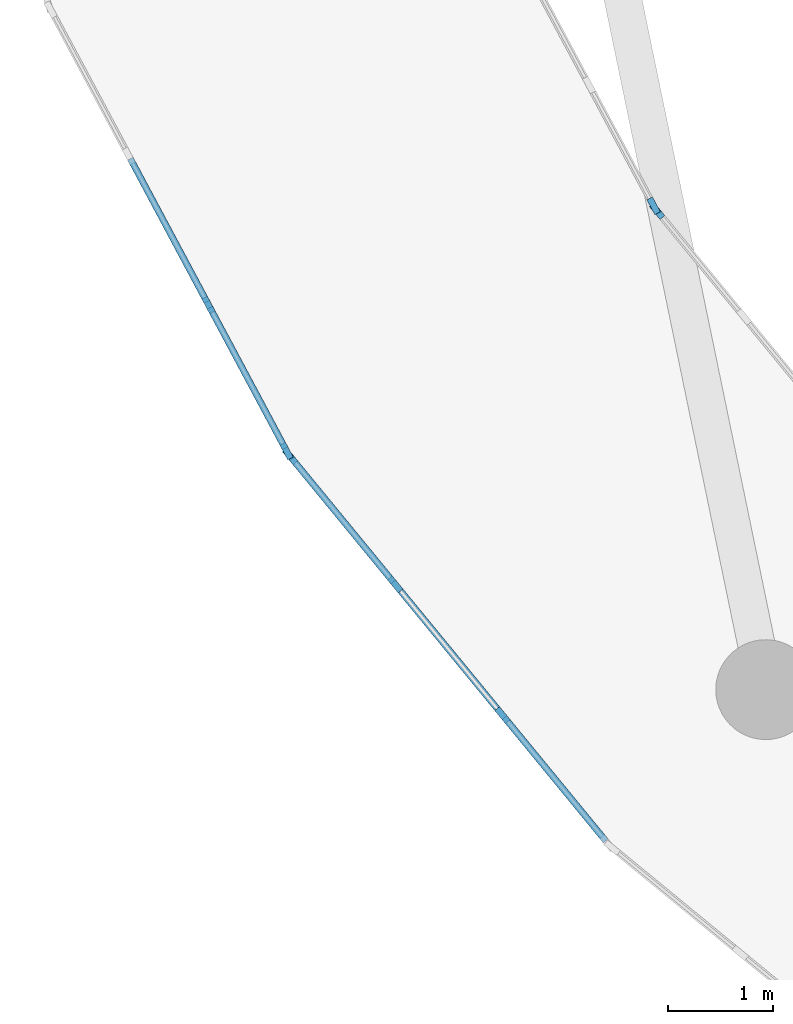
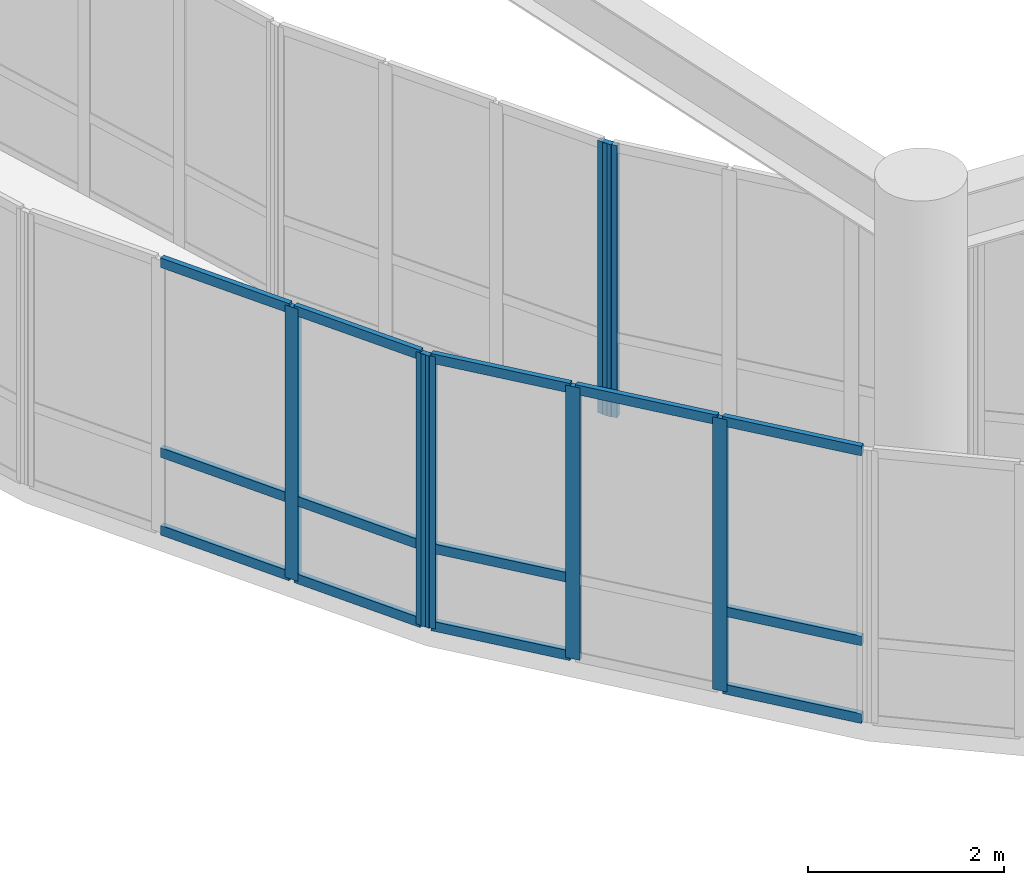
# One storey, part 20 of 72: 20 members, 4 elements without a shape of their own.
"""IFC4 building model written with IfcOpenShell, lengths in metres."""

from ifc_helpers import new_model, si_unit, direction, frame, origin, origin_2d, place, context, subcontext, project, spatial, rectangle, extrude, material, material_profile, profile_set, type_object, element, aggregate, save


model = new_model("IFC4")

# Units and contexts
model_context = context("Model", 3, precision=1e-05, world=origin(), true_north=direction((0.0, 1.0)))
body_context = subcontext(model_context, "Body", "Model", "MODEL_VIEW")
ifc_project = project(units=[si_unit("LENGTHUNIT", "METRE"), si_unit("AREAUNIT", "SQUARE_METRE"), si_unit("VOLUMEUNIT", "CUBIC_METRE"), si_unit("PLANEANGLEUNIT", "RADIAN"), si_unit("MASSUNIT", "GRAM", prefix="KILO")], contexts=[model_context])

# Site, building, storey
site_placement = place(None, origin())
site = spatial("IfcSite", under=ifc_project, at=site_placement, CompositionType="ELEMENT")
building_placement = place(site_placement, origin())
building = spatial("IfcBuilding", under=site, at=building_placement, Name="Veldera Park Congress Hotel", CompositionType="ELEMENT")
storey_placement = place(building_placement, frame((0.0, 0.0, 5.39990234375)))
storey = spatial("IfcBuildingStorey", under=building, at=storey_placement, Name="L01", CompositionType="ELEMENT", Elevation=5.39990234375)

# Curtain wall, members
ifc_material_1 = material(Name="Low-E Triple Insulating Glass Unit (SHGC 0.22)", Category="glass")
curtain_wall_type = type_object("IfcCurtainWallType", Name="CW-BRG", PredefinedType="NOTDEFINED", material=ifc_material_1)
curtain_wall_1_placement = place(storey_placement, origin())
curtain_wall_1 = element("IfcCurtainWall", 1, at=curtain_wall_1_placement, inside=storey, type_object=curtain_wall_type, Name="L01 Curtain Wall CW3-BRGE-L01-A02", PredefinedType="NOTDEFINED")
ifc_material_2 = material(Name="Anodised Aluminium Alloy 6063-T6", Category="aluminium")
ifc_material_profile_1 = material_profile(ifc_material_2, rectangle(XDim=0.06005859375, YDim=0.159912109375, at=origin_2d()), Name="ALU 60x160")
ifc_profile_set_1 = profile_set([ifc_material_profile_1], Name="Anodised Aluminium Alloy 6063-T6")
member_type_1 = type_object("IfcMemberType", Name="CWM-160", PredefinedType="MULLION", material=ifc_profile_set_1)
member_1_placement = place(storey_placement, frame((39.588134765625, 5.150634765625, 0.0), z_axis=(0.0, 0.0, 1.0), x_axis=(0.881927804203, 0.471384501415, 0.0)))
member_1 = element("IfcMember", 2, at=member_1_placement, type_object=member_type_1, Name="CW-BRG mullion 3", PredefinedType="MULLION", context=body_context, shape_type="SweptSolid", body=[
    extrude(rectangle(XDim=0.06005859375, YDim=0.159912109375, at=origin_2d()), origin(), (0.0, 0.0, 1.0), 3.400146484375),
])
member_2_placement = place(storey_placement, frame((40.33154296875, 3.759521484375, 0.0), z_axis=(0.0, 0.0, 1.0), x_axis=(0.881927804203, 0.471384501415, 0.0)))
member_2 = element("IfcMember", 3, at=member_2_placement, type_object=member_type_1, Name="CW-BRG mullion 4", PredefinedType="MULLION", context=body_context, shape_type="SweptSolid", body=[
    extrude(rectangle(XDim=0.06005859375, YDim=0.159912109375, at=origin_2d()), origin(), (0.0, 0.0, 1.0), 3.400146484375),
])

curtain_wall_2_placement = place(storey_placement, origin())
curtain_wall_2 = element("IfcCurtainWall", 4, at=curtain_wall_2_placement, inside=storey, type_object=curtain_wall_type, Name="L01 Curtain Wall CW3-BRGE-L01-A03", PredefinedType="NOTDEFINED")
member_3_placement = place(storey_placement, frame((40.36474609375, 3.709716796875, 0.0), z_axis=(0.0, 0.0, 1.0), x_axis=(0.773002968666, 0.634402404183, 0.0)))
member_3 = element("IfcMember", 5, at=member_3_placement, type_object=member_type_1, Name="CW-BRG mullion 1", PredefinedType="MULLION", context=body_context, shape_type="SweptSolid", body=[
    extrude(rectangle(XDim=0.06005859375, YDim=0.159912109375, at=origin_2d()), origin(), (0.0, 0.0, 1.0), 3.400146484375),
])
member_4_placement = place(storey_placement, frame((41.365478515625, 2.490478515625, 0.0), z_axis=(0.0, 0.0, 1.0), x_axis=(0.773002968666, 0.634402404183, 0.0)))
member_4 = element("IfcMember", 6, at=member_4_placement, type_object=member_type_1, Name="CW-BRG mullion 2", PredefinedType="MULLION", context=body_context, shape_type="SweptSolid", body=[
    extrude(rectangle(XDim=0.06005859375, YDim=0.159912109375, at=origin_2d()), origin(), (0.0, 0.0, 1.0), 3.400146484375),
])
member_5_placement = place(storey_placement, frame((42.385498046875, 1.247802734375, 0.0), z_axis=(0.0, 0.0, 1.0), x_axis=(0.773002968666, 0.634402404183, 0.0)))
member_5 = element("IfcMember", 7, at=member_5_placement, type_object=member_type_1, Name="CW-BRG mullion 3", PredefinedType="MULLION", context=body_context, shape_type="SweptSolid", body=[
    extrude(rectangle(XDim=0.06005859375, YDim=0.159912109375, at=origin_2d()), origin(), (0.0, 0.0, 1.0), 3.400146484375),
])

# Curtain wall, member
curtain_wall_3_placement = place(storey_placement, origin())
curtain_wall_3 = element("IfcCurtainWall", 8, at=curtain_wall_3_placement, inside=storey, type_object=curtain_wall_type, Name="L01 Curtain Wall CW3-BRGE-L01-B13", PredefinedType="NOTDEFINED")
member_6_placement = place(storey_placement, frame((43.85693359375, 6.043212890625, 0.0), z_axis=(0.0, 0.0, 1.0), x_axis=(-0.773016144823, -0.634386349036, 0.0)))
member_6 = element("IfcMember", 9, at=member_6_placement, type_object=member_type_1, Name="CW-BRG mullion 4", PredefinedType="MULLION", context=body_context, shape_type="SweptSolid", body=[
    extrude(rectangle(XDim=0.06005859375, YDim=0.159912109375, at=origin_2d()), origin(), (0.0, 0.0, 1.0), 3.400146484375),
])
aggregate(curtain_wall_3, [member_6])

curtain_wall_4_placement = place(storey_placement, origin())
curtain_wall_4 = element("IfcCurtainWall", 10, at=curtain_wall_4_placement, inside=storey, type_object=curtain_wall_type, Name="L01 Curtain Wall CW3-BRGE-L01-B14", PredefinedType="NOTDEFINED")
member_7_placement = place(storey_placement, frame((43.823974609375, 6.0927734375, 0.0), z_axis=(0.0, 0.0, 1.0), x_axis=(-0.881928263239, -0.471383642588, 0.0)))
member_7 = element("IfcMember", 11, at=member_7_placement, type_object=member_type_1, Name="CW-BRG mullion 1", PredefinedType="MULLION", context=body_context, shape_type="SweptSolid", body=[
    extrude(rectangle(XDim=0.06005859375, YDim=0.159912109375, at=origin_2d()), origin(), (0.0, 0.0, 1.0), 3.400146484375),
])
aggregate(curtain_wall_4, [member_7])

# Member
ifc_material_profile_2 = material_profile(ifc_material_2, rectangle(XDim=0.06005859375, YDim=0.1201171875, at=origin_2d()), Name="ALU 60x120")
ifc_profile_set_2 = profile_set([ifc_material_profile_2], Name="Anodised Aluminium Alloy 6063-T6")
member_type_2 = type_object("IfcMemberType", Name="CWT-120", PredefinedType="USERDEFINED", material=ifc_profile_set_2)
member_8_placement = place(storey_placement, frame((38.844482421875, 6.5419921875, 0.030029296875), z_axis=(0.471406890935, -0.881915836789, 0.0), x_axis=(0.881915836789, 0.471406890935, 0.0)))
member_8 = element("IfcMember", 12, at=member_8_placement, type_object=member_type_2, Name="CW-BRG transom 2.1", ObjectType="TRANSOM", PredefinedType="USERDEFINED", context=body_context, shape_type="SweptSolid", body=[
    extrude(rectangle(XDim=0.06005859375, YDim=0.1201171875, at=origin_2d()), origin(), (0.0, 0.0, 1.0), 1.54736328125),
])

member_9_placement = place(storey_placement, frame((38.844482421875, 6.5419921875, 1.0), z_axis=(0.471406890935, -0.881915836789, 0.0), x_axis=(0.881915836789, 0.471406890935, 0.0)))
member_9 = element("IfcMember", 13, at=member_9_placement, type_object=member_type_2, Name="CW-BRG transom 2.2", ObjectType="TRANSOM", PredefinedType="USERDEFINED", context=body_context, shape_type="SweptSolid", body=[
    extrude(rectangle(XDim=0.06005859375, YDim=0.1201171875, at=origin_2d()), origin(), (0.0, 0.0, 1.0), 1.54736328125),
])

member_10_placement = place(storey_placement, frame((38.844482421875, 6.5419921875, 3.3701171875), z_axis=(0.471406890935, -0.881915836789, 0.0), x_axis=(0.881915836789, 0.471406890935, 0.0)))
member_10 = element("IfcMember", 14, at=member_10_placement, type_object=member_type_2, Name="CW-BRG transom 2.3", ObjectType="TRANSOM", PredefinedType="USERDEFINED", context=body_context, shape_type="SweptSolid", body=[
    extrude(rectangle(XDim=0.06005859375, YDim=0.1201171875, at=origin_2d()), origin(), (0.0, 0.0, 1.0), 1.54736328125),
])

member_11_placement = place(storey_placement, frame((39.602294921875, 5.124267578125, 0.030029296875), z_axis=(0.4713729563, -0.881933974892, 0.0), x_axis=(0.881933974892, 0.4713729563, 0.0)))
member_11 = element("IfcMember", 15, at=member_11_placement, type_object=member_type_2, Name="CW-BRG transom 3.1", ObjectType="TRANSOM", PredefinedType="USERDEFINED", context=body_context, shape_type="SweptSolid", body=[
    extrude(rectangle(XDim=0.06005859375, YDim=0.1201171875, at=origin_2d()), origin(), (0.0, 0.0, 1.0), 1.517578125),
])

member_12_placement = place(storey_placement, frame((39.602294921875, 5.124267578125, 1.0), z_axis=(0.4713729563, -0.881933974892, 0.0), x_axis=(0.881933974892, 0.4713729563, 0.0)))
member_12 = element("IfcMember", 16, at=member_12_placement, type_object=member_type_2, Name="CW-BRG transom 3.2", ObjectType="TRANSOM", PredefinedType="USERDEFINED", context=body_context, shape_type="SweptSolid", body=[
    extrude(rectangle(XDim=0.06005859375, YDim=0.1201171875, at=origin_2d()), origin(), (0.0, 0.0, 1.0), 1.517578125),
])

member_13_placement = place(storey_placement, frame((39.602294921875, 5.124267578125, 3.3701171875), z_axis=(0.4713729563, -0.881933974892, 0.0), x_axis=(0.881933974892, 0.4713729563, 0.0)))
member_13 = element("IfcMember", 17, at=member_13_placement, type_object=member_type_2, Name="CW-BRG transom 3.3", ObjectType="TRANSOM", PredefinedType="USERDEFINED", context=body_context, shape_type="SweptSolid", body=[
    extrude(rectangle(XDim=0.06005859375, YDim=0.1201171875, at=origin_2d()), origin(), (0.0, 0.0, 1.0), 1.517578125),
])

aggregate(curtain_wall_1, [member_1, member_2, member_8, member_9, member_10, member_11, member_12, member_13])

member_14_placement = place(storey_placement, frame((40.3837890625, 3.6865234375, 0.030029296875), z_axis=(0.63453354545, -0.772895322601, 0.0), x_axis=(0.772895322601, 0.63453354545, 0.0)))
member_14 = element("IfcMember", 18, at=member_14_placement, type_object=member_type_2, Name="CW-BRG transom 1.1", ObjectType="TRANSOM", PredefinedType="USERDEFINED", context=body_context, shape_type="SweptSolid", body=[
    extrude(rectangle(XDim=0.06005859375, YDim=0.1201171875, at=origin_2d()), origin(), (0.0, 0.0, 1.0), 1.517578125),
])

member_15_placement = place(storey_placement, frame((40.3837890625, 3.6865234375, 1.0), z_axis=(0.63453354545, -0.772895322601, 0.0), x_axis=(0.772895322601, 0.63453354545, 0.0)))
member_15 = element("IfcMember", 19, at=member_15_placement, type_object=member_type_2, Name="CW-BRG transom 1.2", ObjectType="TRANSOM", PredefinedType="USERDEFINED", context=body_context, shape_type="SweptSolid", body=[
    extrude(rectangle(XDim=0.06005859375, YDim=0.1201171875, at=origin_2d()), origin(), (0.0, 0.0, 1.0), 1.517578125),
])

member_16_placement = place(storey_placement, frame((40.3837890625, 3.6865234375, 3.3701171875), z_axis=(0.63453354545, -0.772895322601, 0.0), x_axis=(0.772895322601, 0.63453354545, 0.0)))
member_16 = element("IfcMember", 20, at=member_16_placement, type_object=member_type_2, Name="CW-BRG transom 1.3", ObjectType="TRANSOM", PredefinedType="USERDEFINED", context=body_context, shape_type="SweptSolid", body=[
    extrude(rectangle(XDim=0.06005859375, YDim=0.1201171875, at=origin_2d()), origin(), (0.0, 0.0, 1.0), 1.517578125),
])

member_17_placement = place(storey_placement, frame((41.384521484375, 2.46728515625, 3.3701171875), z_axis=(0.634456806668, -0.772958317422, 0.0), x_axis=(0.772958317422, 0.634456806668, 0.0)))
member_17 = element("IfcMember", 21, at=member_17_placement, type_object=member_type_2, Name="CW-BRG transom 2.3", ObjectType="TRANSOM", PredefinedType="USERDEFINED", context=body_context, shape_type="SweptSolid", body=[
    extrude(rectangle(XDim=0.06005859375, YDim=0.1201171875, at=origin_2d()), origin(), (0.0, 0.0, 1.0), 1.547607421875),
])

member_18_placement = place(storey_placement, frame((42.404541015625, 1.224609375, 0.030029296875), z_axis=(0.634358522298, -0.773038980381, 0.0), x_axis=(0.773038980381, 0.634358522298, 0.0)))
member_18 = element("IfcMember", 22, at=member_18_placement, type_object=member_type_2, Name="CW-BRG transom 3.1", ObjectType="TRANSOM", PredefinedType="USERDEFINED", context=body_context, shape_type="SweptSolid", body=[
    extrude(rectangle(XDim=0.06005859375, YDim=0.1201171875, at=origin_2d()), origin(), (0.0, 0.0, 1.0), 1.517578125),
])

member_19_placement = place(storey_placement, frame((42.404541015625, 1.224609375, 1.0), z_axis=(0.634358522298, -0.773038980381, 0.0), x_axis=(0.773038980381, 0.634358522298, 0.0)))
member_19 = element("IfcMember", 23, at=member_19_placement, type_object=member_type_2, Name="CW-BRG transom 3.2", ObjectType="TRANSOM", PredefinedType="USERDEFINED", context=body_context, shape_type="SweptSolid", body=[
    extrude(rectangle(XDim=0.06005859375, YDim=0.1201171875, at=origin_2d()), origin(), (0.0, 0.0, 1.0), 1.517578125),
])

member_20_placement = place(storey_placement, frame((42.404541015625, 1.224609375, 3.3701171875), z_axis=(0.634358522298, -0.773038980381, 0.0), x_axis=(0.773038980381, 0.634358522298, 0.0)))
member_20 = element("IfcMember", 24, at=member_20_placement, type_object=member_type_2, Name="CW-BRG transom 3.3", ObjectType="TRANSOM", PredefinedType="USERDEFINED", context=body_context, shape_type="SweptSolid", body=[
    extrude(rectangle(XDim=0.06005859375, YDim=0.1201171875, at=origin_2d()), origin(), (0.0, 0.0, 1.0), 1.517578125),
])

aggregate(curtain_wall_2, [member_3, member_4, member_5, member_14, member_15, member_16, member_17, member_18, member_19, member_20])

save(model, "model.ifc")
